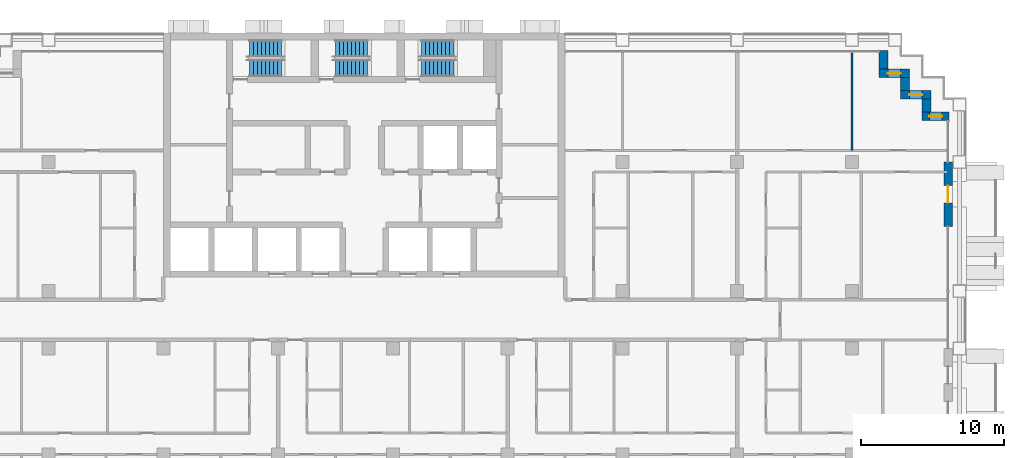
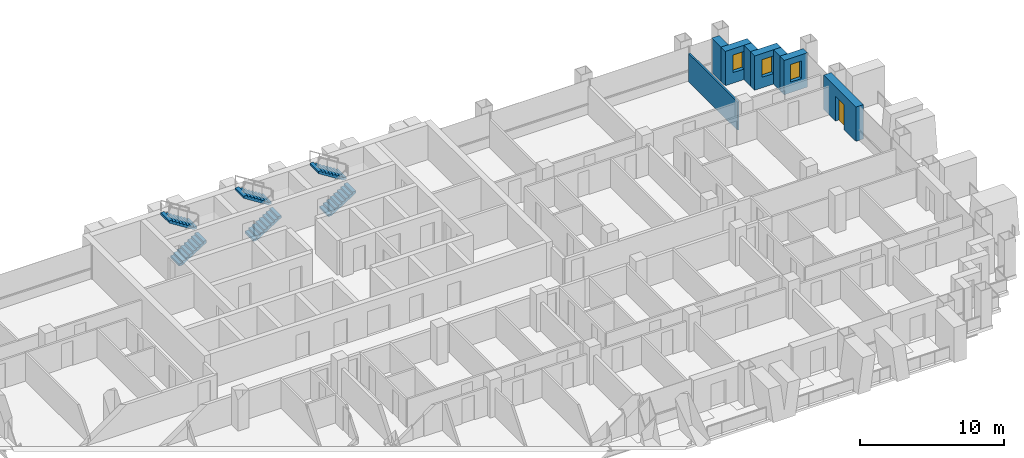
# One storey, part 14 of 18: 8 walls, 6 stair flights, 3 windows, 1 door, 4 openings, 3 elements without a shape of their own.
"""IFC4 building model written with IfcOpenShell, lengths in metres."""

from ifc_helpers import new_model, si_unit, direction, frame, frame_2d, origin, place, context, subcontext, project, spatial, polyline, rectangle, outline, extrude, material, layer, layer_set, type_object, element, fill, aggregate, save


model = new_model("IFC4")

# Units and contexts
model_context = context("Model", 3, precision=1e-05, world=origin(), true_north=direction((0.0, 1.0)))
body_context = subcontext(model_context, "Body", "Model", "MODEL_VIEW")
ifc_project = project(units=[si_unit("LENGTHUNIT", "METRE"), si_unit("AREAUNIT", "SQUARE_METRE"), si_unit("VOLUMEUNIT", "CUBIC_METRE"), si_unit("PLANEANGLEUNIT", "RADIAN"), si_unit("MASSUNIT", "GRAM", prefix="KILO")], contexts=[model_context])

# Site, building, storey
site_placement = place(None, origin())
site = spatial("IfcSite", under=ifc_project, at=site_placement, CompositionType="ELEMENT")
building_placement = place(site_placement, origin())
building = spatial("IfcBuilding", under=site, at=building_placement, Name="Vidyagriha Tower", CompositionType="ELEMENT")
storey_placement = place(building_placement, frame((0.0, 0.0, 80.699951171875)))
storey = spatial("IfcBuildingStorey", under=building, at=storey_placement, Name="L20", CompositionType="ELEMENT", Elevation=80.699951171875)

# Wall, opening, window
ifc_material_1 = material(Name="Precast concrete C40/50 with brick facing", Category="concrete")
ifc_layer_1 = layer(ifc_material_1, 0.60009765625)
ifc_layer_set_1 = layer_set([ifc_layer_1], Name="Precast concrete C40/50 with brick facing")
wall_type_1 = type_object("IfcWallType", Name="Brick-faced precast wall 600", PredefinedType="STANDARD", material=ifc_layer_set_1)
wall_1_placement = place(storey_placement, frame((40.780029296875, 14.199951171875, 0.0), z_axis=(0.0, 0.0, 1.0), x_axis=(-1.0, 0.0, 0.0)))
wall_1 = element("IfcWall", 1, at=wall_1_placement, inside=storey, type_object=wall_type_1, Name="Stepped corner wall L20 R01", PredefinedType="STANDARD", context=body_context, shape_type="SweptSolid", body=[
    extrude(rectangle(XDim=1.880126953125, YDim=0.60009765625, at=frame_2d((0.93994140625, 0.0))), origin(), (0.0, 0.0, 1.0), 2.920166015625),
])
opening_1_placement = place(wall_1_placement, frame((0.489990234375, 0.0, 0.89990234375)))
opening_1 = element("IfcOpeningElement", 2, at=opening_1_placement, cuts=wall_1, Name="Opening WN1", PredefinedType="OPENING", context=body_context, shape_type="SweptSolid", body=[
    extrude(rectangle(XDim=0.89990234375, YDim=1.5, at=frame_2d((0.449951171875, 0.75))), frame((0.0, 0.31005859375, 0.0), z_axis=(0.0, -1.0, 0.0), x_axis=(1.0, 0.0, 0.0)), (0.0, 0.0, 1.0), 0.6201171875),
])
ifc_material_2 = material(Name="Aluminium and glass window", Category="aluminium")
window_type = type_object("IfcWindowType", Name="Reveal window 900x1500", PartitioningType="NOTDEFINED", PredefinedType="WINDOW", material=ifc_material_2)
window_1_placement = place(opening_1_placement, origin())
window_1 = element("IfcWindow", 3, at=window_1_placement, inside=storey, type_object=window_type, Name="Reveal window L20 R01", OverallHeight=1.5, OverallWidth=0.89990234375, PartitioningType="SINGLE_PANEL", PredefinedType="WINDOW", context=body_context, shape_type="SweptSolid", body=[
    extrude(rectangle(XDim=0.89990234375, YDim=1.5, at=frame_2d((0.449951171875, 0.75))), frame((0.0, 0.030029296875, 0.0), z_axis=(0.0, -1.0, 0.0), x_axis=(1.0, 0.0, 0.0)), (0.0, 0.0, 1.0), 0.06005859375),
])
fill(opening_1, window_1)

# Wall
wall_2_placement = place(storey_placement, frame((39.199951171875, 14.5, 0.0), z_axis=(0.0, 0.0, 1.0), x_axis=(0.0, 1.0, 0.0)))
element("IfcWall", 4, at=wall_2_placement, inside=storey, type_object=wall_type_1, Name="Stepped corner wall L20 R02", PredefinedType="STANDARD", context=body_context, shape_type="SweptSolid", body=[
    extrude(rectangle(XDim=0.89990234375, YDim=0.60009765625, at=frame_2d((0.449951171875, 0.0))), origin(), (0.0, 0.0, 1.0), 2.920166015625),
])

# Wall, opening, window
wall_3_placement = place(storey_placement, frame((39.5, 15.699951171875, 0.0), z_axis=(0.0, 0.0, 1.0), x_axis=(-1.0, 0.0, 0.0)))
wall_3 = element("IfcWall", 5, at=wall_3_placement, inside=storey, type_object=wall_type_1, Name="Stepped corner wall L20 R03", PredefinedType="STANDARD", context=body_context, shape_type="SweptSolid", body=[
    extrude(rectangle(XDim=2.10009765625, YDim=0.60009765625, at=frame_2d((1.050048828125, 0.0))), origin(), (0.0, 0.0, 1.0), 2.920166015625),
])
opening_2_placement = place(wall_3_placement, frame((0.60009765625, 0.0, 0.89990234375)))
opening_2 = element("IfcOpeningElement", 6, at=opening_2_placement, cuts=wall_3, Name="Opening WN1", PredefinedType="OPENING", context=body_context, shape_type="SweptSolid", body=[
    extrude(rectangle(XDim=0.89990234375, YDim=1.5, at=frame_2d((0.449951171875, 0.75))), frame((0.0, 0.31005859375, 0.0), z_axis=(0.0, -1.0, 0.0), x_axis=(1.0, 0.0, 0.0)), (0.0, 0.0, 1.0), 0.6201171875),
])
window_2_placement = place(opening_2_placement, origin())
window_2 = element("IfcWindow", 7, at=window_2_placement, inside=storey, type_object=window_type, Name="Reveal window L20 R03", OverallHeight=1.5, OverallWidth=0.89990234375, PartitioningType="SINGLE_PANEL", PredefinedType="WINDOW", context=body_context, shape_type="SweptSolid", body=[
    extrude(rectangle(XDim=0.89990234375, YDim=1.5, at=frame_2d((0.449951171875, 0.75))), frame((0.0, 0.030029296875, 0.0), z_axis=(0.0, -1.0, 0.0), x_axis=(1.0, 0.0, 0.0)), (0.0, 0.0, 1.0), 0.06005859375),
])
fill(opening_2, window_2)

# Wall
wall_4_placement = place(storey_placement, frame((37.699951171875, 16.0, 0.0), z_axis=(0.0, 0.0, 1.0), x_axis=(0.0, 1.0, 0.0)))
element("IfcWall", 8, at=wall_4_placement, inside=storey, type_object=wall_type_1, Name="Stepped corner wall L20 R04", PredefinedType="STANDARD", context=body_context, shape_type="SweptSolid", body=[
    extrude(rectangle(XDim=0.89990234375, YDim=0.60009765625, at=frame_2d((0.449951171875, 0.0))), origin(), (0.0, 0.0, 1.0), 2.920166015625),
])

# Wall, opening, window
wall_5_placement = place(storey_placement, frame((38.0, 17.199951171875, 0.0), z_axis=(0.0, 0.0, 1.0), x_axis=(-1.0, 0.0, 0.0)))
wall_5 = element("IfcWall", 9, at=wall_5_placement, inside=storey, type_object=wall_type_1, Name="Stepped corner wall L20 R05", PredefinedType="STANDARD", context=body_context, shape_type="SweptSolid", body=[
    extrude(rectangle(XDim=2.10009765625, YDim=0.60009765625, at=frame_2d((1.050048828125, 0.0))), origin(), (0.0, 0.0, 1.0), 2.920166015625),
])
opening_3_placement = place(wall_5_placement, frame((0.60009765625, 0.0, 0.89990234375)))
opening_3 = element("IfcOpeningElement", 10, at=opening_3_placement, cuts=wall_5, Name="Opening WN1", PredefinedType="OPENING", context=body_context, shape_type="SweptSolid", body=[
    extrude(rectangle(XDim=0.89990234375, YDim=1.5, at=frame_2d((0.449951171875, 0.75))), frame((0.0, 0.31005859375, 0.0), z_axis=(0.0, -1.0, 0.0), x_axis=(1.0, 0.0, 0.0)), (0.0, 0.0, 1.0), 0.6201171875),
])
window_3_placement = place(opening_3_placement, origin())
window_3 = element("IfcWindow", 11, at=window_3_placement, inside=storey, type_object=window_type, Name="Reveal window L20 R05", OverallHeight=1.5, OverallWidth=0.89990234375, PartitioningType="SINGLE_PANEL", PredefinedType="WINDOW", context=body_context, shape_type="SweptSolid", body=[
    extrude(rectangle(XDim=0.89990234375, YDim=1.5, at=frame_2d((0.449951171875, 0.75))), frame((0.0, 0.030029296875, 0.0), z_axis=(0.0, -1.0, 0.0), x_axis=(1.0, 0.0, 0.0)), (0.0, 0.0, 1.0), 0.06005859375),
])
fill(opening_3, window_3)

# Wall
wall_6_placement = place(storey_placement, frame((36.199951171875, 17.5, 0.0), z_axis=(0.0, 0.0, 1.0), x_axis=(0.0, 1.0, 0.0)))
element("IfcWall", 12, at=wall_6_placement, inside=storey, type_object=wall_type_1, Name="Stepped corner wall L20 R06", PredefinedType="STANDARD", context=body_context, shape_type="SweptSolid", body=[
    extrude(rectangle(XDim=1.280029296875, YDim=0.60009765625, at=frame_2d((0.64013671875, 0.0))), origin(), (0.0, 0.0, 1.0), 2.920166015625),
])

# Wall, opening, door
wall_7_placement = place(storey_placement, frame((40.699951171875, 6.5, 0.0), z_axis=(0.0, 0.0, 1.0), x_axis=(0.0, 1.0, 0.0)))
wall_7 = element("IfcWall", 13, at=wall_7_placement, inside=storey, type_object=wall_type_1, Name="Brick door bay wall L20 R30.6", PredefinedType="STANDARD", context=body_context, shape_type="SweptSolid", body=[
    extrude(rectangle(XDim=4.5, YDim=0.60009765625, at=frame_2d((2.25, 0.0))), origin(), (0.0, 0.0, 1.0), 2.920166015625),
])
opening_4_placement = place(wall_7_placement, frame((1.64990234375, 0.0, 0.0)))
opening_4 = element("IfcOpeningElement", 14, at=opening_4_placement, cuts=wall_7, Name="Opening D20-84", PredefinedType="OPENING", context=body_context, shape_type="SweptSolid", body=[
    extrude(rectangle(XDim=1.199951171875, YDim=2.10009765625, at=frame_2d((0.60009765625, 1.050048828125))), frame((0.0, 0.31005859375, 0.0), z_axis=(0.0, -1.0, 0.0), x_axis=(1.0, 0.0, 0.0)), (0.0, 0.0, 1.0), 0.6201171875),
])
ifc_material_3 = material(Name="Aluminium framed glazed sliding door", Category="aluminium")
door_type = type_object("IfcDoorType", Name="Balcony sliding door 1200x2100", OperationType="NOTDEFINED", PredefinedType="DOOR", material=ifc_material_3)
door_placement = place(opening_4_placement, origin())
door = element("IfcDoor", 15, at=door_placement, inside=storey, type_object=door_type, Name="Door D20-84", OperationType="SLIDING_TO_LEFT", OverallHeight=2.10009765625, OverallWidth=1.199951171875, PredefinedType="DOOR", context=body_context, shape_type="SweptSolid", body=[
    extrude(rectangle(XDim=1.199951171875, YDim=2.10009765625, at=frame_2d((0.60009765625, 1.050048828125))), frame((0.0, 0.02490234375, 0.0), z_axis=(0.0, -1.0, 0.0), x_axis=(1.0, 0.0, 0.0)), (0.0, 0.0, 1.0), 0.050048828125),
])
fill(opening_4, door)

# Wall
ifc_material_4 = material(Name="Gypsum board partition")
ifc_layer_2 = layer(ifc_material_4, 0.14990234375)
ifc_layer_set_2 = layer_set([ifc_layer_2], Name="Gypsum board partition")
wall_type_2 = type_object("IfcWallType", Name="Gypsum board partition 150", PredefinedType="PARTITIONING", material=ifc_layer_set_2)
wall_8_placement = place(storey_placement, frame((34.0, 18.62109375, 0.0), z_axis=(0.0, 0.0, 1.0), x_axis=(0.0, -1.0, 0.0)))
element("IfcWall", 16, at=wall_8_placement, inside=storey, type_object=wall_type_2, Name="Wall all-L20-w124", PredefinedType="PARTITIONING", context=body_context, shape_type="SweptSolid", body=[
    extrude(rectangle(XDim=6.821044921875, YDim=0.14990234375, at=frame_2d((3.41064453125, 0.0))), origin(), (0.0, 0.0, 1.0), 2.400146484375),
])

# Stair, stair flights
ifc_material_5 = material(Name="Concrete C40/50", Category="concrete")
stair_type = type_object("IfcStairType", Name="Exit stair, half-turn, precast flights", PredefinedType="HALF_TURN_STAIR", material=ifc_material_5)
stair_1_placement = place(storey_placement, origin())
stair_1 = element("IfcStair", 17, at=stair_1_placement, inside=storey, type_object=stair_type, Name="L20 Exit Stair ST1", PredefinedType="HALF_TURN_STAIR")
ifc_material_6 = material(Name="Precast concrete C40/50", Category="concrete")
stair_flight_type = type_object("IfcStairFlightType", Name="Exit stair flight 1200 mm, precast", PredefinedType="STRAIGHT", material=ifc_material_6)
stair_flight_1_placement = place(storey_placement, frame((-8.0, 17.550048828125, 0.0)))
stair_flight_1 = element("IfcStairFlight", 18, at=stair_flight_1_placement, type_object=stair_flight_type, Name="ST1 flight 1", NumberOfRisers=9, NumberOfTreads=8, PredefinedType="STRAIGHT", RiserHeight=0.177777778, TreadLength=0.28, context=body_context, shape_type="SweptSolid", body=[
    extrude(outline(polyline([(0.0, 0.0), (0.0, 0.177734375), (0.280029296875, 0.177734375), (0.280029296875, 0.35546875), (0.56005859375, 0.35546875), (0.56005859375, 0.533447265625), (0.840087890625, 0.533447265625), (0.840087890625, 0.711181640625), (1.1201171875, 0.711181640625), (1.1201171875, 0.888916015625), (1.39990234375, 0.888916015625), (1.39990234375, 1.066650390625), (1.679931640625, 1.066650390625), (1.679931640625, 1.244384765625), (1.9599609375, 1.244384765625), (1.9599609375, 1.422119140625), (2.239990234375, 1.422119140625), (2.239990234375, 1.60009765625), (2.239990234375, 1.24462890625), (0.27978515625, 0.0), (0.0, 0.0)])), frame((0.0, 0.60009765625, 0.0), z_axis=(0.0, -1.0, 0.0), x_axis=(1.0, 0.0, 0.0)), (0.0, 0.0, 1.0), 1.199951171875),
])
stair_flight_2_placement = place(storey_placement, frame((-5.760009765625, 18.89990234375, 1.60009765625), z_axis=(0.0, 0.0, 1.0), x_axis=(-1.0, 0.0, 0.0)))
stair_flight_2 = element("IfcStairFlight", 19, at=stair_flight_2_placement, type_object=stair_flight_type, Name="ST1 flight 2", NumberOfRisers=9, NumberOfTreads=8, PredefinedType="STRAIGHT", RiserHeight=0.177777778, TreadLength=0.28, context=body_context, shape_type="SweptSolid", body=[
    extrude(outline(polyline([(0.0, 0.0), (0.0, 0.177734375), (0.280029296875, 0.177734375), (0.280029296875, 0.35546875), (0.56005859375, 0.35546875), (0.56005859375, 0.533447265625), (0.840087890625, 0.533447265625), (0.840087890625, 0.711181640625), (1.1201171875, 0.711181640625), (1.1201171875, 0.888916015625), (1.39990234375, 0.888916015625), (1.39990234375, 1.066650390625), (1.679931640625, 1.066650390625), (1.679931640625, 1.244384765625), (1.9599609375, 1.244384765625), (1.9599609375, 1.422119140625), (2.239990234375, 1.422119140625), (2.239990234375, 1.60009765625), (2.239990234375, 1.24462890625), (0.27978515625, 0.0), (0.0, 0.0)])), frame((0.0, 0.60009765625, 0.0), z_axis=(0.0, -1.0, 0.0), x_axis=(1.0, 0.0, 0.0)), (0.0, 0.0, 1.0), 1.199951171875),
])
aggregate(stair_1, [stair_flight_1, stair_flight_2])

stair_2_placement = place(storey_placement, origin())
stair_2 = element("IfcStair", 20, at=stair_2_placement, inside=storey, type_object=stair_type, Name="L20 Exit Stair ST2", PredefinedType="HALF_TURN_STAIR")
stair_flight_3_placement = place(storey_placement, frame((-2.0, 17.550048828125, 0.0)))
stair_flight_3 = element("IfcStairFlight", 21, at=stair_flight_3_placement, type_object=stair_flight_type, Name="ST2 flight 1", NumberOfRisers=9, NumberOfTreads=8, PredefinedType="STRAIGHT", RiserHeight=0.177777778, TreadLength=0.28, context=body_context, shape_type="SweptSolid", body=[
    extrude(outline(polyline([(0.0, 0.0), (0.0, 0.177734375), (0.280029296875, 0.177734375), (0.280029296875, 0.35546875), (0.56005859375, 0.35546875), (0.56005859375, 0.533447265625), (0.840087890625, 0.533447265625), (0.840087890625, 0.711181640625), (1.1201171875, 0.711181640625), (1.1201171875, 0.888916015625), (1.39990234375, 0.888916015625), (1.39990234375, 1.066650390625), (1.679931640625, 1.066650390625), (1.679931640625, 1.244384765625), (1.9599609375, 1.244384765625), (1.9599609375, 1.422119140625), (2.239990234375, 1.422119140625), (2.239990234375, 1.60009765625), (2.239990234375, 1.24462890625), (0.27978515625, 0.0), (0.0, 0.0)])), frame((0.0, 0.60009765625, 0.0), z_axis=(0.0, -1.0, 0.0), x_axis=(1.0, 0.0, 0.0)), (0.0, 0.0, 1.0), 1.199951171875),
])
stair_flight_4_placement = place(storey_placement, frame((0.239990234375, 18.89990234375, 1.60009765625), z_axis=(0.0, 0.0, 1.0), x_axis=(-1.0, 0.0, 0.0)))
stair_flight_4 = element("IfcStairFlight", 22, at=stair_flight_4_placement, type_object=stair_flight_type, Name="ST2 flight 2", NumberOfRisers=9, NumberOfTreads=8, PredefinedType="STRAIGHT", RiserHeight=0.177777778, TreadLength=0.28, context=body_context, shape_type="SweptSolid", body=[
    extrude(outline(polyline([(0.0, 0.0), (0.0, 0.177734375), (0.280029296875, 0.177734375), (0.280029296875, 0.35546875), (0.56005859375, 0.35546875), (0.56005859375, 0.533447265625), (0.840087890625, 0.533447265625), (0.840087890625, 0.711181640625), (1.1201171875, 0.711181640625), (1.1201171875, 0.888916015625), (1.39990234375, 0.888916015625), (1.39990234375, 1.066650390625), (1.679931640625, 1.066650390625), (1.679931640625, 1.244384765625), (1.9599609375, 1.244384765625), (1.9599609375, 1.422119140625), (2.239990234375, 1.422119140625), (2.239990234375, 1.60009765625), (2.239990234375, 1.24462890625), (0.27978515625, 0.0), (0.0, 0.0)])), frame((0.0, 0.60009765625, 0.0), z_axis=(0.0, -1.0, 0.0), x_axis=(1.0, 0.0, 0.0)), (0.0, 0.0, 1.0), 1.199951171875),
])
aggregate(stair_2, [stair_flight_3, stair_flight_4])

stair_3_placement = place(storey_placement, origin())
stair_3 = element("IfcStair", 23, at=stair_3_placement, inside=storey, type_object=stair_type, Name="L20 Exit Stair ST3", PredefinedType="HALF_TURN_STAIR")
stair_flight_5_placement = place(storey_placement, frame((4.0, 17.550048828125, 0.0)))
stair_flight_5 = element("IfcStairFlight", 24, at=stair_flight_5_placement, type_object=stair_flight_type, Name="ST3 flight 1", NumberOfRisers=9, NumberOfTreads=8, PredefinedType="STRAIGHT", RiserHeight=0.177777778, TreadLength=0.28, context=body_context, shape_type="SweptSolid", body=[
    extrude(outline(polyline([(0.0, 0.0), (0.0, 0.177734375), (0.280029296875, 0.177734375), (0.280029296875, 0.35546875), (0.56005859375, 0.35546875), (0.56005859375, 0.533447265625), (0.840087890625, 0.533447265625), (0.840087890625, 0.711181640625), (1.1201171875, 0.711181640625), (1.1201171875, 0.888916015625), (1.39990234375, 0.888916015625), (1.39990234375, 1.066650390625), (1.679931640625, 1.066650390625), (1.679931640625, 1.244384765625), (1.9599609375, 1.244384765625), (1.9599609375, 1.422119140625), (2.239990234375, 1.422119140625), (2.239990234375, 1.60009765625), (2.239990234375, 1.24462890625), (0.27978515625, 0.0), (0.0, 0.0)])), frame((0.0, 0.60009765625, 0.0), z_axis=(0.0, -1.0, 0.0), x_axis=(1.0, 0.0, 0.0)), (0.0, 0.0, 1.0), 1.199951171875),
])
stair_flight_6_placement = place(storey_placement, frame((6.239990234375, 18.89990234375, 1.60009765625), z_axis=(0.0, 0.0, 1.0), x_axis=(-1.0, 0.0, 0.0)))
stair_flight_6 = element("IfcStairFlight", 25, at=stair_flight_6_placement, type_object=stair_flight_type, Name="ST3 flight 2", NumberOfRisers=9, NumberOfTreads=8, PredefinedType="STRAIGHT", RiserHeight=0.177777778, TreadLength=0.28, context=body_context, shape_type="SweptSolid", body=[
    extrude(outline(polyline([(0.0, 0.0), (0.0, 0.177734375), (0.280029296875, 0.177734375), (0.280029296875, 0.35546875), (0.56005859375, 0.35546875), (0.56005859375, 0.533447265625), (0.840087890625, 0.533447265625), (0.840087890625, 0.711181640625), (1.1201171875, 0.711181640625), (1.1201171875, 0.888916015625), (1.39990234375, 0.888916015625), (1.39990234375, 1.066650390625), (1.679931640625, 1.066650390625), (1.679931640625, 1.244384765625), (1.9599609375, 1.244384765625), (1.9599609375, 1.422119140625), (2.239990234375, 1.422119140625), (2.239990234375, 1.60009765625), (2.239990234375, 1.24462890625), (0.27978515625, 0.0), (0.0, 0.0)])), frame((0.0, 0.60009765625, 0.0), z_axis=(0.0, -1.0, 0.0), x_axis=(1.0, 0.0, 0.0)), (0.0, 0.0, 1.0), 1.199951171875),
])
aggregate(stair_3, [stair_flight_5, stair_flight_6])

save(model, "model.ifc")
